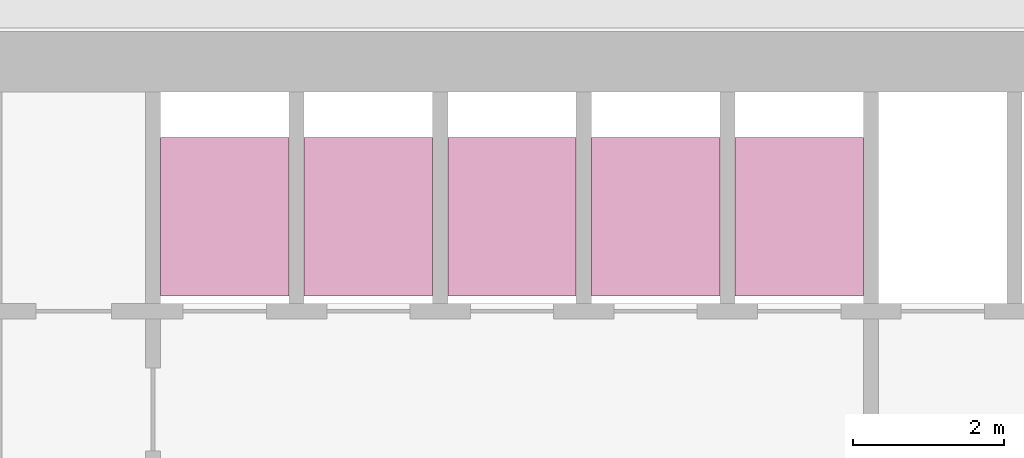
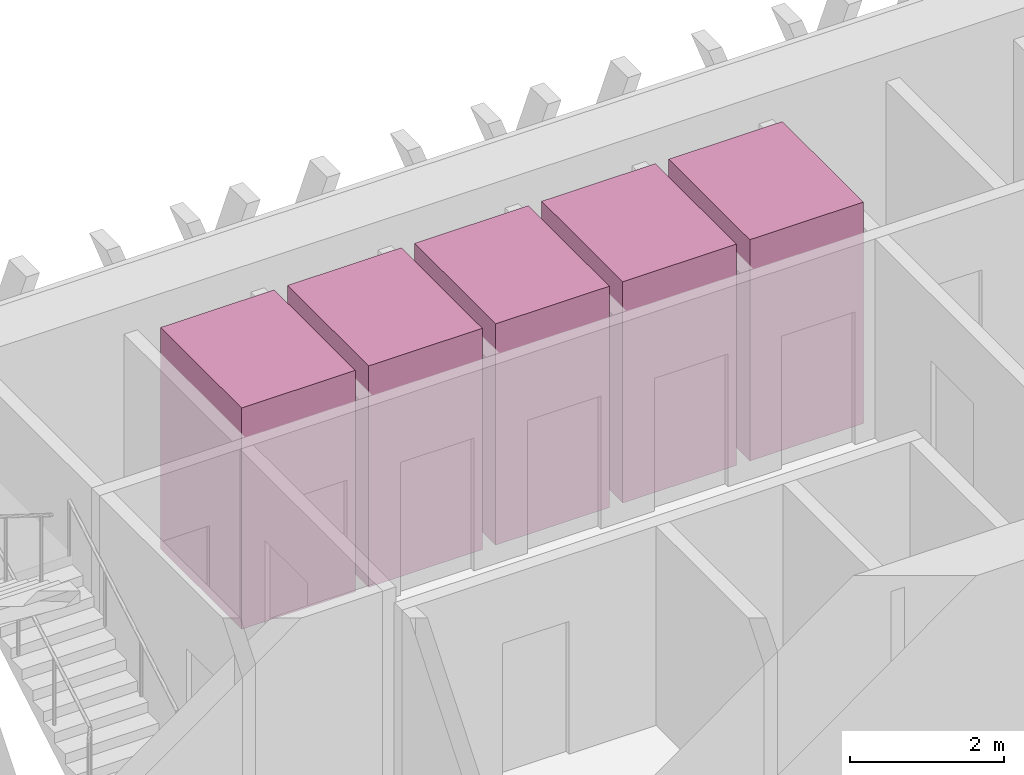
# One storey, part 15 of 15: 5 transport elements.
"""IFC4 building model written with IfcOpenShell, lengths in metres."""

from ifc_helpers import new_model, si_unit, direction, frame, origin, origin_2d, place, context, subcontext, project, spatial, rectangle, extrude, material, type_object, element, save


model = new_model("IFC4")

# Units and contexts
model_context = context("Model", 3, precision=1e-05, world=origin(), true_north=direction((0.0, 1.0)))
body_context = subcontext(model_context, "Body", "Model", "MODEL_VIEW")
ifc_project = project(units=[si_unit("LENGTHUNIT", "METRE"), si_unit("AREAUNIT", "SQUARE_METRE"), si_unit("VOLUMEUNIT", "CUBIC_METRE"), si_unit("PLANEANGLEUNIT", "RADIAN"), si_unit("MASSUNIT", "GRAM", prefix="KILO")], contexts=[model_context])

# Site, building, storey
site_placement = place(None, origin())
site = spatial("IfcSite", under=ifc_project, at=site_placement, CompositionType="ELEMENT")
building_placement = place(site_placement, origin())
building = spatial("IfcBuilding", under=site, at=building_placement, Name="Altiplano Prism Tower", CompositionType="ELEMENT")
storey_placement = place(building_placement, frame((0.0, 0.0, 142.199951171875)))
storey = spatial("IfcBuildingStorey", under=building, at=storey_placement, Name="L36", CompositionType="ELEMENT", Elevation=142.199951171875)

# Transport elements
ifc_material = material(Name="Stainless steel lift car", Category="steel")
transport_element_type = type_object("IfcTransportElementType", Name="Passenger lift car 1600 x 2100", PredefinedType="ELEVATOR", material=ifc_material)
for number, where, z_axis, x_axis, name in (
    (1, (79.050048828125, 101.75, 0.050048828125), (0.0, 0.0, 1.0), (1.0, 0.0, 0.0), "Mid Zone Passenger Lift 1"),
    (2, (80.949951171875, 101.75, 0.050048828125), (0.0, 0.0, 1.0), (1.0, 0.0, 0.0), "Mid Zone Passenger Lift 2"),
    (3, (82.85009765625, 101.75, 0.050048828125), (0.0, 0.0, 1.0), (1.0, 0.0, 0.0), "Mid Zone Passenger Lift 3"),
    (4, (84.75, 101.75, 0.050048828125), (0.0, 0.0, 1.0), (1.0, 0.0, 0.0), "Mid Zone Passenger Lift 4"),
    (5, (86.64990234375, 101.75, 0.050048828125), (0.0, 0.0, 1.0), (1.0, 0.0, 0.0), "Mid Zone Passenger Lift 5"),
):
    element("IfcTransportElement", number, at=place(storey_placement, frame(where, z_axis=z_axis, x_axis=x_axis)), inside=storey, type_object=transport_element_type, Name=name, PredefinedType="ELEVATOR", context=body_context, shape_type="SweptSolid", body=[
        extrude(rectangle(XDim=1.699951171875, YDim=2.10009765625, at=origin_2d()), origin(), (0.0, 0.0, 1.0), 3.5),
    ])

save(model, "model.ifc")
